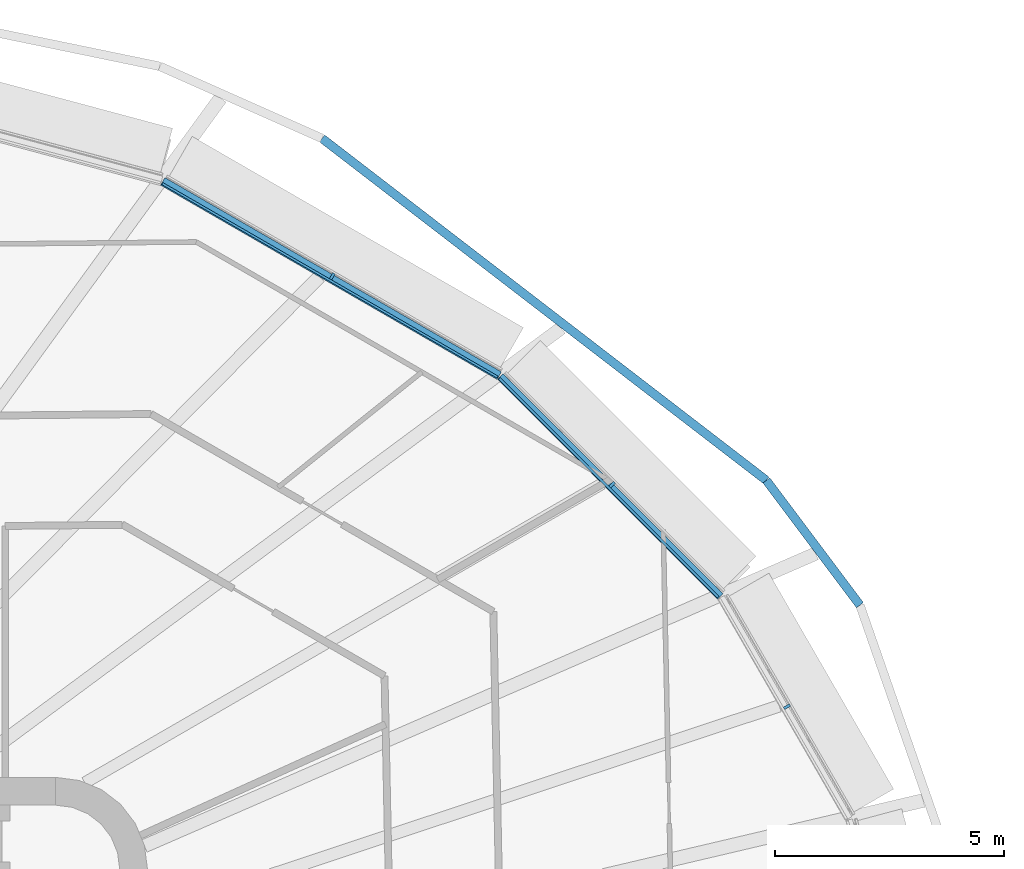
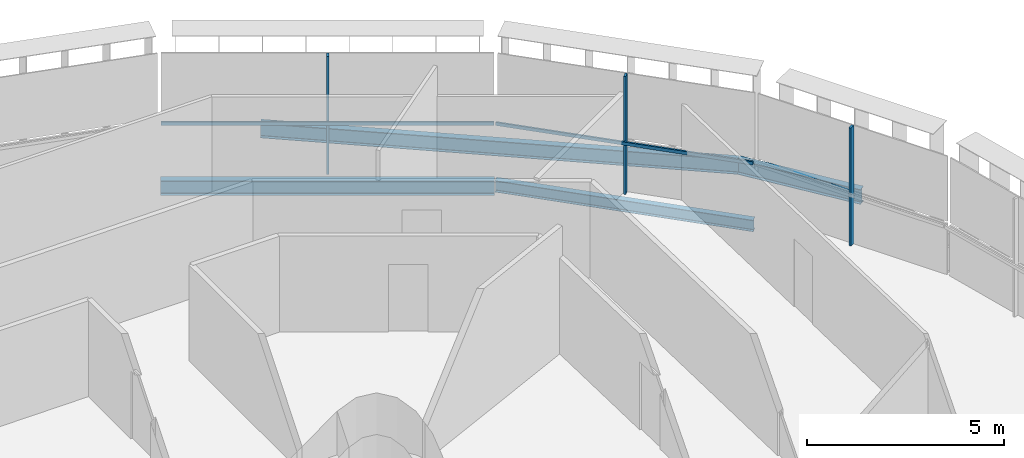
# One storey, part 10 of 26: 5 members, 4 beams, 3 elements without a shape of their own.
"""IFC4 building model written with IfcOpenShell, lengths in metres."""

from ifc_helpers import new_model, si_unit, direction, frame, origin, origin_2d, place, context, subcontext, project, spatial, rectangle, i_section, extrude, material, layer, layer_set, material_profile, profile_set, type_object, element, aggregate, save


model = new_model("IFC4")

# Units and contexts
model_context = context("Model", 3, precision=1e-05, world=origin(), true_north=direction((0.0, 1.0)))
body_context = subcontext(model_context, "Body", "Model", "MODEL_VIEW")
ifc_project = project(units=[si_unit("LENGTHUNIT", "METRE"), si_unit("AREAUNIT", "SQUARE_METRE"), si_unit("VOLUMEUNIT", "CUBIC_METRE"), si_unit("PLANEANGLEUNIT", "RADIAN"), si_unit("MASSUNIT", "GRAM", prefix="KILO")], contexts=[model_context])

# Site, building, storey
site_placement = place(None, origin())
site = spatial("IfcSite", under=ifc_project, at=site_placement, CompositionType="ELEMENT")
building_placement = place(site_placement, origin())
building = spatial("IfcBuilding", under=site, at=building_placement, Name="Sahrelin Media Tower", CompositionType="ELEMENT")
storey_placement = place(building_placement, frame((0.0, 0.0, 84.0)))
storey = spatial("IfcBuildingStorey", under=building, at=storey_placement, Name="L15", CompositionType="ELEMENT", Elevation=84.0)

# Beams
ifc_material_1 = material(Name="Steel S355", Category="steel")
ifc_material_profile_1 = material_profile(ifc_material_1, i_section(OverallWidth=0.17138671875, OverallDepth=0.35498046875, WebThickness=0.00732421875, FlangeThickness=0.011474609375, FilletRadius=0.01025390625, at=origin_2d()), Name="UB 356x171x51")
ifc_profile_set_1 = profile_set([ifc_material_profile_1], Name="Steel S355")
beam_type_1 = type_object("IfcBeamType", Name="Edge beam EB3", PredefinedType="BEAM", material=ifc_profile_set_1)
beam_1_placement = place(storey_placement, frame((22.689697265625, 16.739013671875, -0.327392578125), z_axis=(0.707106781187, -0.707106781187, 0.0), x_axis=(0.707106781187, 0.707106781187, 0.0)))
element("IfcBeam", 1, at=beam_1_placement, inside=storey, type_object=beam_type_1, Name="Edge beam L15-22", PredefinedType="BEAM", context=body_context, shape_type="SweptSolid", body=[
    extrude(i_section(OverallWidth=0.17138671875, OverallDepth=0.35498046875, WebThickness=0.00732421875, FlangeThickness=0.011474609375, FilletRadius=0.01025390625, at=origin_2d()), origin(), (0.0, 0.0, 1.0), 6.7783203125),
])
ifc_material_profile_2 = material_profile(ifc_material_1, i_section(OverallWidth=0.1904296875, OverallDepth=0.45703125, WebThickness=0.009033203125, FlangeThickness=0.014404296875, FilletRadius=0.01025390625, at=origin_2d()), Name="UB 457x191x74")
ifc_profile_set_2 = profile_set([ifc_material_profile_2], Name="Steel S355")
beam_type_2 = type_object("IfcBeamType", Name="Edge beam EB5", PredefinedType="BEAM", material=ifc_profile_set_2)
beam_2_placement = place(storey_placement, frame((15.3330078125, 20.99072265625, -0.37841796875), z_axis=(0.866025712585, -0.499999465141, 0.0), x_axis=(0.499999465141, 0.866025712585, 0.0)))
element("IfcBeam", 2, at=beam_2_placement, inside=storey, type_object=beam_type_2, Name="Edge beam L15-21", PredefinedType="BEAM", context=body_context, shape_type="SweptSolid", body=[
    extrude(i_section(OverallWidth=0.1904296875, OverallDepth=0.45703125, WebThickness=0.009033203125, FlangeThickness=0.014404296875, FilletRadius=0.01025390625, at=origin_2d()), origin(), (0.0, 0.0, 1.0), 8.46826171875),
])

# Curtain wall, member
ifc_material_2 = material(Name="Champagne anodised aluminium 6063-T6", Category="aluminium")
ifc_layer = layer(ifc_material_2, 0.14990234375)
ifc_layer_set = layer_set([ifc_layer], Name="Tower ribbon curtain wall")
curtain_wall_type = type_object("IfcCurtainWallType", Name="Tower ribbon curtain wall", PredefinedType="NOTDEFINED", material=ifc_layer_set)
curtain_wall_1_placement = place(storey_placement, frame((29.021484375, 9.58837890625, 0.0), z_axis=(0.0, 0.0, 1.0), x_axis=(1.0, 0.0, 0.0)))
curtain_wall_1 = element("IfcCurtainWall", 3, at=curtain_wall_1_placement, inside=storey, type_object=curtain_wall_type, Name="L15:CW:L15-02", PredefinedType="NOTDEFINED")
ifc_material_profile_3 = material_profile(ifc_material_2, rectangle(XDim=0.06005859375, YDim=0.14990234375, at=origin_2d()), Name="Mullion 60x150")
ifc_profile_set_3 = profile_set([ifc_material_profile_3], Name="Champagne anodised aluminium 6063-T6")
member_type_1 = type_object("IfcMemberType", Name="Mullion 60x150 CW1", PredefinedType="MULLION", material=ifc_profile_set_3)
member_1_placement = place(storey_placement, frame((28.939208984375, 9.540771484375, 0.0), z_axis=(0.0, 0.0, 1.0), x_axis=(-0.499990930976, 0.866030639725, 0.0)))
member_1 = element("IfcMember", 4, at=member_1_placement, type_object=member_type_1, Name="L15:CWM:L15-02", PredefinedType="MULLION", context=body_context, shape_type="SweptSolid", body=[
    extrude(rectangle(XDim=0.06005859375, YDim=0.14990234375, at=origin_2d()), origin(), (0.0, 0.0, 1.0), 3.648681640625),
])
aggregate(curtain_wall_1, [member_1])

curtain_wall_2_placement = place(storey_placement, frame((25.192138671875, 14.448486328125, 0.0), z_axis=(0.0, 0.0, 1.0), x_axis=(1.0, 0.0, 0.0)))
curtain_wall_2 = element("IfcCurtainWall", 5, at=curtain_wall_2_placement, inside=storey, type_object=curtain_wall_type, Name="L15:CW:L15-03", PredefinedType="NOTDEFINED")
member_2_placement = place(storey_placement, frame((25.125, 14.381591796875, 0.0), z_axis=(0.0, 0.0, 1.0), x_axis=(-0.707114185953, 0.707099376343, 0.0)))
member_2 = element("IfcMember", 6, at=member_2_placement, type_object=member_type_1, Name="L15:CWM:L15-03", PredefinedType="MULLION", context=body_context, shape_type="SweptSolid", body=[
    extrude(rectangle(XDim=0.06005859375, YDim=0.14990234375, at=origin_2d()), origin(), (0.0, 0.0, 1.0), 3.648681640625),
])

curtain_wall_3_placement = place(storey_placement, frame((19.074951171875, 19.003662109375, 0.0), z_axis=(0.0, 0.0, 1.0), x_axis=(1.0, 0.0, 0.0)))
curtain_wall_3 = element("IfcCurtainWall", 7, at=curtain_wall_3_placement, inside=storey, type_object=curtain_wall_type, Name="L15:CW:L15-04", PredefinedType="NOTDEFINED")
member_3_placement = place(storey_placement, frame((19.02734375, 18.92138671875, 0.0), z_axis=(0.0, 0.0, 1.0), x_axis=(-0.866022785779, 0.500004534492, 0.0)))
member_3 = element("IfcMember", 8, at=member_3_placement, type_object=member_type_1, Name="L15:CWM:L15-04", PredefinedType="MULLION", context=body_context, shape_type="SweptSolid", body=[
    extrude(rectangle(XDim=0.06005859375, YDim=0.14990234375, at=origin_2d()), origin(), (0.0, 0.0, 1.0), 3.648681640625),
])

# Beams
ifc_material_profile_4 = material_profile(ifc_material_1, i_section(OverallWidth=0.1904296875, OverallDepth=0.45703125, WebThickness=0.009033203125, FlangeThickness=0.014404296875, FilletRadius=0.01025390625, at=origin_2d()), Name="UB 457x191x74")
ifc_profile_set_4 = profile_set([ifc_material_profile_4], Name="Steel S355")
beam_type_3 = type_object("IfcBeamType", Name="Tie chord TC5", PredefinedType="BEAM", material=ifc_profile_set_4)
beam_3_placement = place(storey_placement, frame((30.529296875, 11.753662109375, -0.37841796875), z_axis=(-0.600080429002, 0.799939671931, 0.0), x_axis=(-0.799939671931, -0.600080429002, 0.0)))
element("IfcBeam", 9, at=beam_3_placement, inside=storey, type_object=beam_type_3, Name="Tie chord L15-02", PredefinedType="BEAM", context=body_context, shape_type="SweptSolid", body=[
    extrude(i_section(OverallWidth=0.1904296875, OverallDepth=0.45703125, WebThickness=0.009033203125, FlangeThickness=0.014404296875, FilletRadius=0.01025390625, at=origin_2d()), origin(), (0.0, 0.0, 1.0), 3.399658203125),
])
beam_4_placement = place(storey_placement, frame((28.4892578125, 14.47314453125, -0.37841796875), z_axis=(-0.792442022212, 0.609947244795, 0.0), x_axis=(-0.609947244795, -0.792442022212, 0.0)))
element("IfcBeam", 10, at=beam_4_placement, inside=storey, type_object=beam_type_3, Name="Tie chord L15-03", PredefinedType="BEAM", context=body_context, shape_type="SweptSolid", body=[
    extrude(i_section(OverallWidth=0.1904296875, OverallDepth=0.45703125, WebThickness=0.009033203125, FlangeThickness=0.014404296875, FilletRadius=0.01025390625, at=origin_2d()), origin(), (0.0, 0.0, 1.0), 12.22216796875),
])

# Member
ifc_material_profile_5 = material_profile(ifc_material_2, rectangle(XDim=0.050048828125, YDim=0.10009765625, at=origin_2d()), Name="Transom 50x100")
ifc_profile_set_5 = profile_set([ifc_material_profile_5], Name="Champagne anodised aluminium 6063-T6")
member_type_2 = type_object("IfcMemberType", Name="Transom 50x100 CW1", PredefinedType="USERDEFINED", material=ifc_profile_set_5)
member_4_placement = place(storey_placement, frame((27.439697265625, 11.92529296875, 1.60009765625), z_axis=(-0.707088688516, 0.707124873394, 0.0), x_axis=(-0.707124873394, -0.707088688516, 0.0)))
member_4 = element("IfcMember", 11, at=member_4_placement, type_object=member_type_2, Name="L15:CWT:L15-03", ObjectType="TRANSOM", PredefinedType="USERDEFINED", context=body_context, shape_type="SweptSolid", body=[
    extrude(rectangle(XDim=0.050048828125, YDim=0.10009765625, at=origin_2d()), origin(), (0.0, 0.0, 1.0), 6.7470703125),
])

aggregate(curtain_wall_2, [member_2, member_4])

member_5_placement = place(storey_placement, frame((22.630615234375, 16.7255859375, 1.60009765625), z_axis=(-0.866029933621, 0.499992154011, 0.0), x_axis=(-0.499992154011, -0.866029933621, 0.0)))
member_5 = element("IfcMember", 12, at=member_5_placement, type_object=member_type_2, Name="L15:CWT:L15-04", ObjectType="TRANSOM", PredefinedType="USERDEFINED", context=body_context, shape_type="SweptSolid", body=[
    extrude(rectangle(XDim=0.050048828125, YDim=0.10009765625, at=origin_2d()), origin(), (0.0, 0.0, 1.0), 8.436767578125),
])

aggregate(curtain_wall_3, [member_3, member_5])

save(model, "model.ifc")
